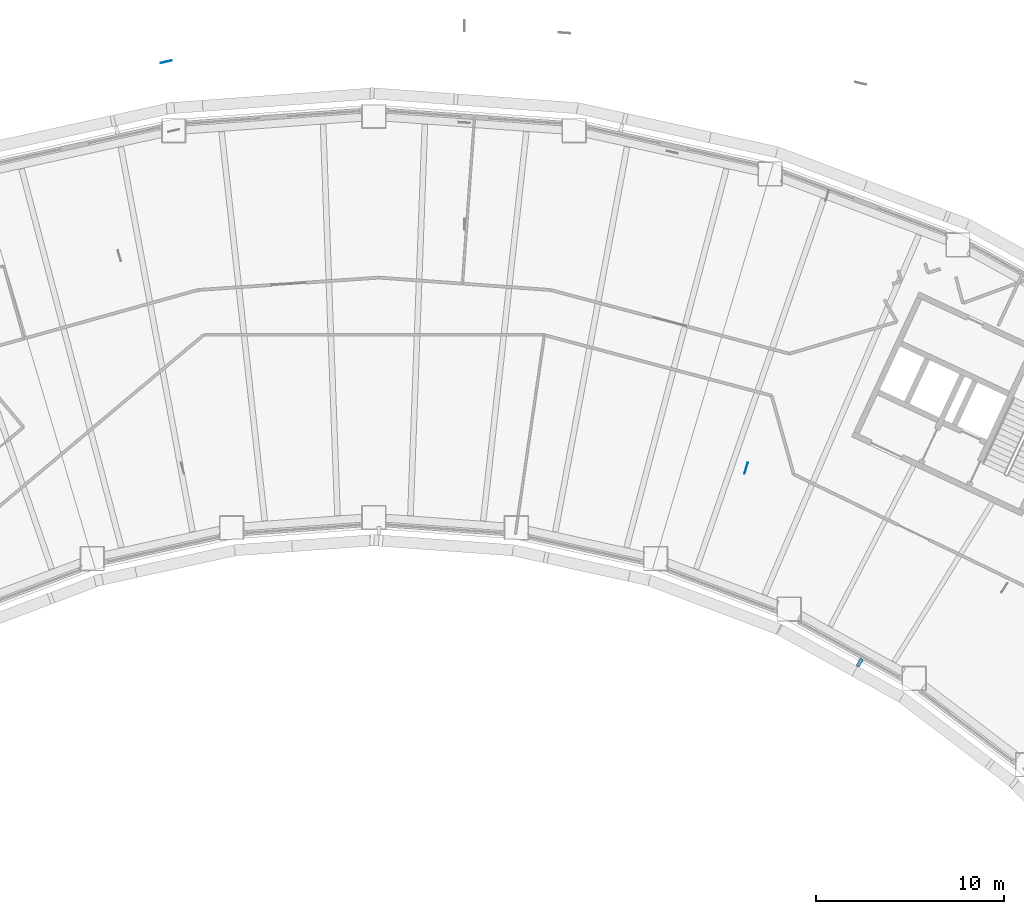
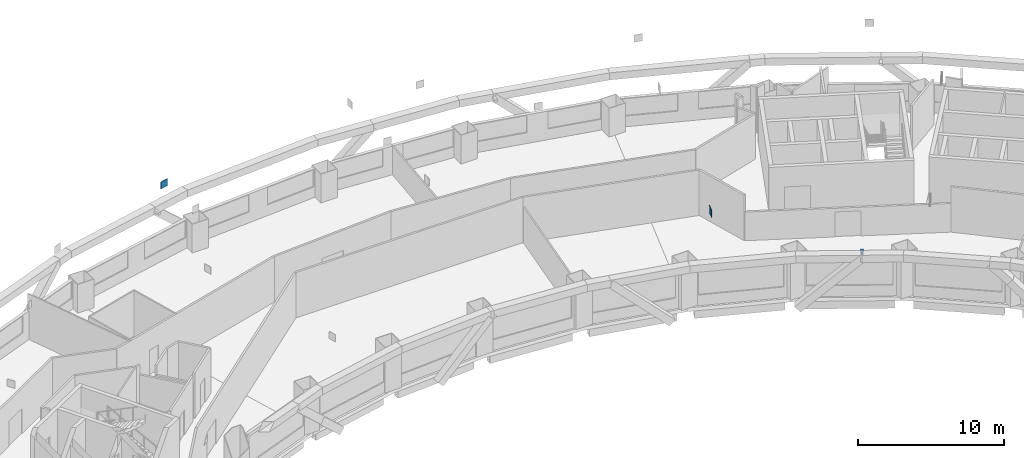
# One storey, part 12 of 19: 3 discrete accessories.
"""IFC4 building model written with IfcOpenShell, lengths in metres."""

from ifc_helpers import new_model, si_unit, direction, frame, origin, origin_2d, place, context, subcontext, project, spatial, rectangle, extrude, material, type_object, element, save


model = new_model("IFC4")

# Units and contexts
model_context = context("Model", 3, precision=1e-05, world=origin(), true_north=direction((0.0, 1.0)))
body_context = subcontext(model_context, "Body", "Model", "MODEL_VIEW")
ifc_project = project(units=[si_unit("LENGTHUNIT", "METRE"), si_unit("AREAUNIT", "SQUARE_METRE"), si_unit("VOLUMEUNIT", "CUBIC_METRE"), si_unit("PLANEANGLEUNIT", "RADIAN"), si_unit("MASSUNIT", "GRAM", prefix="KILO")], contexts=[model_context])

# Site, building, storey
site_placement = place(None, origin())
site = spatial("IfcSite", under=ifc_project, at=site_placement, CompositionType="ELEMENT")
building_placement = place(site_placement, origin())
building = spatial("IfcBuilding", under=site, at=building_placement, Name="Tuul Gate Civic Tower", CompositionType="ELEMENT")
storey_placement = place(building_placement, frame((0.0, 0.0, 56.699951171875)))
storey = spatial("IfcBuildingStorey", under=building, at=storey_placement, Name="Level 12", CompositionType="ELEMENT", Elevation=56.699951171875)

# Discrete accessories
ifc_material_1 = material(Name="Steel S355", Category="steel")
discrete_accessory_type_1 = type_object("IfcDiscreteAccessoryType", Name="Gusset plate", PredefinedType="BRACKET", material=ifc_material_1)
for number, where, z_axis, x_axis, name in (
    (1, (19.79541015625, -4.83349609375, 2.79736328125), (0.0, 0.0, 1.0), (0.285224909945, 0.958460615126, 0.0), "Gusset plate"),
    (2, (-11.054443359375, 16.785888671875, 2.796630859375), (0.0, 0.0, 1.0), (0.976564607871, 0.215224456448, 0.0), "Gusset plate"),
):
    element("IfcDiscreteAccessory", number, at=place(storey_placement, frame(where, z_axis=z_axis, x_axis=x_axis)), inside=storey, type_object=discrete_accessory_type_1, Name=name, PredefinedType="BRACKET", context=body_context, shape_type="SweptSolid", body=[
        extrude(rectangle(XDim=0.60009765625, YDim=0.030029296875, at=origin_2d()), origin(), (0.0, 0.0, 1.0), 0.60009765625),
    ])
ifc_material_2 = material(Name="Stainless steel", Category="steel")
discrete_accessory_type_2 = type_object("IfcDiscreteAccessoryType", Name="Screen bracket", PredefinedType="BRACKET", material=ifc_material_2)
discrete_accessory_placement = place(storey_placement, frame((25.8359375, -15.174560546875, 3.75), z_axis=(0.0, 0.0, 1.0), x_axis=(-0.49937864513, -0.866383846103, 0.0)))
element("IfcDiscreteAccessory", 3, at=discrete_accessory_placement, inside=storey, type_object=discrete_accessory_type_2, Name="Screen bracket 29", PredefinedType="BRACKET", context=body_context, shape_type="SweptSolid", body=[
    extrude(rectangle(XDim=0.4501953125, YDim=0.199951171875, at=origin_2d()), origin(), (0.0, 0.0, 1.0), 0.199951171875),
])

save(model, "model.ifc")
